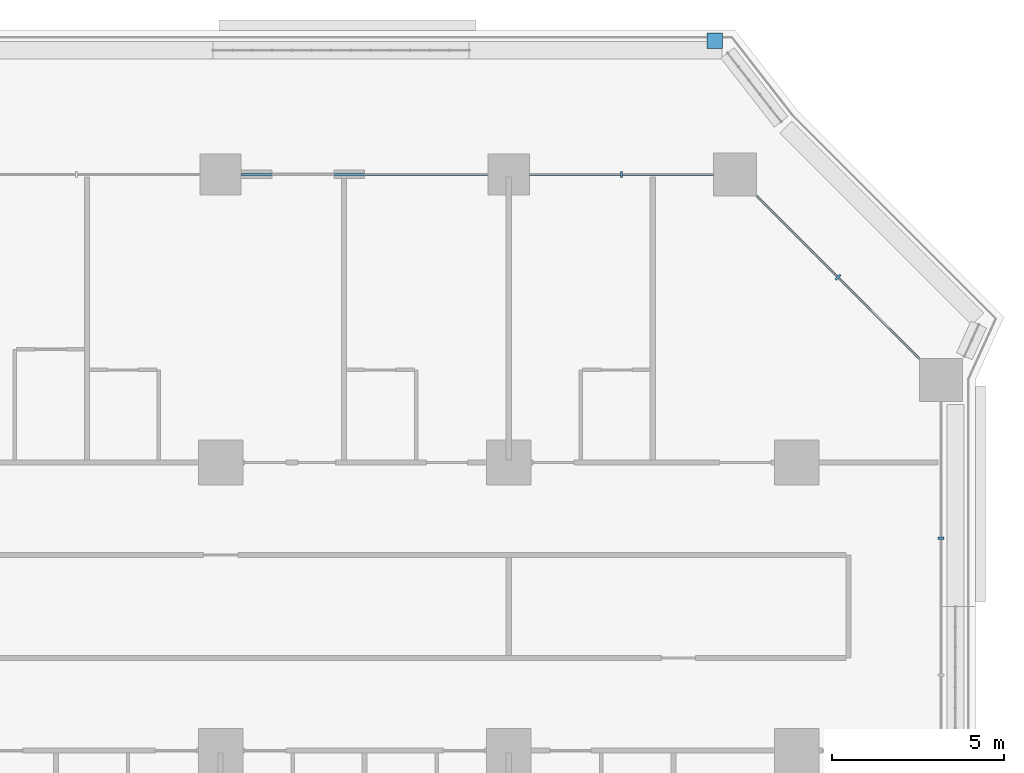
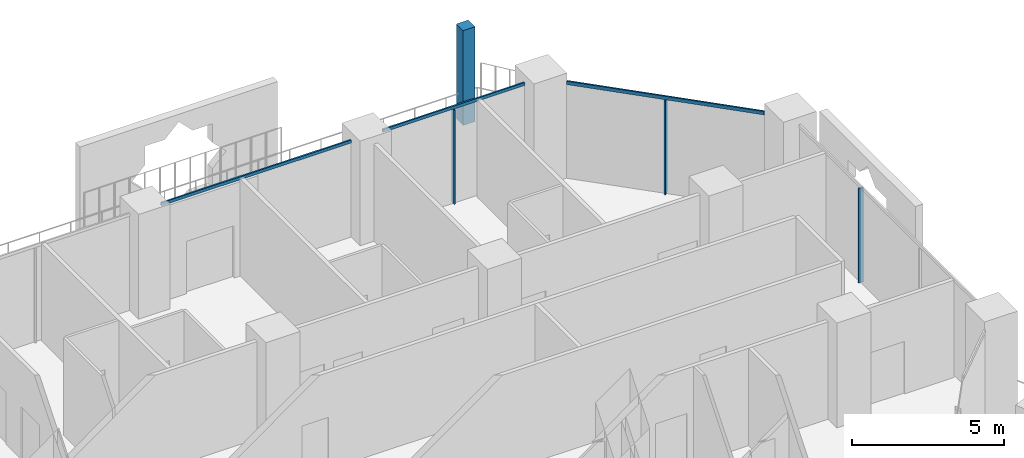
# One storey, part 10 of 27: 7 members, 4 elements without a shape of their own.
"""IFC4 building model written with IfcOpenShell, lengths in metres."""

from ifc_helpers import new_model, si_unit, direction, frame, origin, origin_2d, place, context, subcontext, project, spatial, rectangle, extrude, material, layer, layer_set, material_profile, profile_set, type_object, element, aggregate, save


model = new_model("IFC4")

# Units and contexts
model_context = context("Model", 3, precision=1e-05, world=origin(), true_north=direction((0.0, 1.0)))
body_context = subcontext(model_context, "Body", "Model", "MODEL_VIEW")
ifc_project = project(units=[si_unit("LENGTHUNIT", "METRE"), si_unit("AREAUNIT", "SQUARE_METRE"), si_unit("VOLUMEUNIT", "CUBIC_METRE"), si_unit("PLANEANGLEUNIT", "RADIAN"), si_unit("MASSUNIT", "GRAM", prefix="KILO")], contexts=[model_context])

# Site, building, storey
site_placement = place(None, origin())
site = spatial("IfcSite", under=ifc_project, at=site_placement, CompositionType="ELEMENT")
building_placement = place(site_placement, origin())
building = spatial("IfcBuilding", under=site, at=building_placement, Name="Kawkab Arch Medical Tower", CompositionType="ELEMENT")
storey_placement = place(building_placement, frame((0.0, 0.0, 85.39990234375)))
storey = spatial("IfcBuildingStorey", under=building, at=storey_placement, Name="L19", CompositionType="ELEMENT", Elevation=85.39990234375)

# Curtain wall, member
ifc_material_1 = material(Name="Bronze anodised aluminium curtain wall frame", Category="aluminium")
ifc_layer_1 = layer(ifc_material_1, 0.159912109375)
ifc_layer_set_1 = layer_set([ifc_layer_1], Name="Bronze anodised aluminium curtain wall frame")
curtain_wall_type_1 = type_object("IfcCurtainWallType", Name="CW1 ward curtain wall", PredefinedType="NOTDEFINED", material=ifc_layer_set_1)
placement = place(storey_placement, origin())
curtain_wall_1 = element("IfcCurtainWall", 1, at=placement, inside=storey, type_object=curtain_wall_type_1, Name="CW1 Ward curtain wall R09", PredefinedType="NOTDEFINED")
ifc_material_2 = material(Name="Bronze anodised aluminium curtain wall frame", Category="aluminium")
ifc_material_profile_1 = material_profile(ifc_material_2, rectangle(XDim=0.179931640625, YDim=0.06005859375, at=origin_2d()), Name="AL 60x180")
ifc_profile_set_1 = profile_set([ifc_material_profile_1], Name="Bronze anodised aluminium curtain wall frame")
member_type_1 = type_object("IfcMemberType", Name="CW1 mullion 60 x 180", PredefinedType="MULLION", material=ifc_profile_set_1)
member_1_placement = place(storey_placement, frame((79.800048828125, -10.6083984375, 0.0), z_axis=(0.0, 0.0, 1.0), x_axis=(-1.0, 0.0, 0.0)))
member_1 = element("IfcMember", 2, at=member_1_placement, type_object=member_type_1, Name="CW1 mullion 1.2", PredefinedType="MULLION", context=body_context, shape_type="SweptSolid", body=[
    extrude(rectangle(XDim=0.179931640625, YDim=0.06005859375, at=origin_2d()), origin(), (0.0, 0.0, 1.0), 3.780029296875),
])
aggregate(curtain_wall_1, [member_1])

# Curtain wall, members
curtain_wall_2 = element("IfcCurtainWall", 3, at=placement, inside=storey, type_object=curtain_wall_type_1, Name="CW1 Ward curtain wall R11", PredefinedType="NOTDEFINED")
member_2_placement = place(storey_placement, frame((70.487548828125, 0.0, 0.0), z_axis=(0.0, 0.0, 1.0), x_axis=(0.0, -1.0, 0.0)))
member_2 = element("IfcMember", 4, at=member_2_placement, type_object=member_type_1, Name="CW1 mullion 1.1", PredefinedType="MULLION", context=body_context, shape_type="SweptSolid", body=[
    extrude(rectangle(XDim=0.179931640625, YDim=0.06005859375, at=origin_2d()), origin(), (0.0, 0.0, 1.0), 3.780029296875),
])
ifc_material_3 = material(Name="Bronze anodised aluminium curtain wall frame", Category="aluminium")
ifc_material_profile_2 = material_profile(ifc_material_3, rectangle(XDim=0.06005859375, YDim=0.1201171875, at=origin_2d()), Name="AL 60x120")
ifc_profile_set_2 = profile_set([ifc_material_profile_2], Name="Bronze anodised aluminium curtain wall frame")
member_type_2 = type_object("IfcMemberType", Name="CW1 transom 120 x 60", PredefinedType="USERDEFINED", material=ifc_profile_set_2)
member_3_placement = place(storey_placement, frame((73.175048828125, 0.0, 3.840087890625), z_axis=(-1.0, 0.0, 0.0), x_axis=(0.0, -1.0, 0.0)))
member_3 = element("IfcMember", 5, at=member_3_placement, type_object=member_type_2, Name="CW1 transom 1", ObjectType="TRANSOM", PredefinedType="USERDEFINED", context=body_context, shape_type="SweptSolid", body=[
    extrude(rectangle(XDim=0.06005859375, YDim=0.1201171875, at=origin_2d()), origin(), (0.0, 0.0, 1.0), 5.375),
])
member_4_placement = place(storey_placement, frame((66.60009765625, 0.0, 3.840087890625), z_axis=(-1.0, 0.0, 0.0), x_axis=(0.0, -1.0, 0.0)))
member_4 = element("IfcMember", 6, at=member_4_placement, type_object=member_type_2, Name="CW1 transom 2", ObjectType="TRANSOM", PredefinedType="USERDEFINED", context=body_context, shape_type="SweptSolid", body=[
    extrude(rectangle(XDim=0.06005859375, YDim=0.1201171875, at=origin_2d()), origin(), (0.0, 0.0, 1.0), 7.2001953125),
])
aggregate(curtain_wall_2, [member_3, member_2, member_4])

ifc_material_4 = material(Name="Bronze anodised aluminium curtain wall frame", Category="aluminium")
ifc_layer_2 = layer(ifc_material_4, 0.159912109375)
ifc_layer_set_2 = layer_set([ifc_layer_2], Name="Bronze anodised aluminium curtain wall frame")
curtain_wall_type_2 = type_object("IfcCurtainWallType", Name="CW2 chamfer curtain wall", PredefinedType="NOTDEFINED", material=ifc_layer_set_2)
curtain_wall_3 = element("IfcCurtainWall", 7, at=placement, inside=storey, type_object=curtain_wall_type_2, Name="CW2 Chamfer curtain wall R10", PredefinedType="NOTDEFINED")
ifc_material_5 = material(Name="Bronze anodised aluminium curtain wall frame", Category="aluminium")
ifc_material_profile_3 = material_profile(ifc_material_5, rectangle(XDim=0.199951171875, YDim=0.06005859375, at=origin_2d()), Name="AL 60x200")
ifc_profile_set_3 = profile_set([ifc_material_profile_3], Name="Bronze anodised aluminium curtain wall frame")
member_type_3 = type_object("IfcMemberType", Name="CW2 mullion 60 x 200", PredefinedType="MULLION", material=ifc_profile_set_3)
member_5_placement = place(storey_placement, frame((76.800048828125, -3.0, 0.0), z_axis=(0.0, 0.0, 1.0), x_axis=(-0.707106781187, -0.707106781187, 0.0)))
member_5 = element("IfcMember", 8, at=member_5_placement, type_object=member_type_3, Name="CW2 mullion 1.1", PredefinedType="MULLION", context=body_context, shape_type="SweptSolid", body=[
    extrude(rectangle(XDim=0.199951171875, YDim=0.06005859375, at=origin_2d()), origin(), (0.0, 0.0, 1.0), 3.760009765625),
])
ifc_material_6 = material(Name="Bronze anodised aluminium curtain wall frame", Category="aluminium")
ifc_material_profile_4 = material_profile(ifc_material_6, rectangle(XDim=0.06005859375, YDim=0.139892578125, at=origin_2d()), Name="AL 60x140")
ifc_profile_set_4 = profile_set([ifc_material_profile_4], Name="Bronze anodised aluminium curtain wall frame")
member_type_4 = type_object("IfcMemberType", Name="CW2 transom 140 x 60", PredefinedType="USERDEFINED", material=ifc_profile_set_4)
member_6_placement = place(storey_placement, frame((79.175048828125, -5.375, 3.830078125), z_axis=(-0.707106781187, 0.707106781187, 0.0), x_axis=(-0.707106781187, -0.707106781187, 0.0)))
member_6 = element("IfcMember", 9, at=member_6_placement, type_object=member_type_4, Name="CW2 transom 1", ObjectType="TRANSOM", PredefinedType="USERDEFINED", context=body_context, shape_type="SweptSolid", body=[
    extrude(rectangle(XDim=0.06005859375, YDim=0.139892578125, at=origin_2d()), origin(), (0.0, 0.0, 1.0), 6.717529296875),
])
aggregate(curtain_wall_3, [member_6, member_5])

# Curtain wall, member
ifc_material_7 = material(Name="Bronze anodised aluminium climber frame, planted", Category="aluminium")
ifc_layer_3 = layer(ifc_material_7, 0.449951171875)
ifc_layer_set_3 = layer_set([ifc_layer_3], Name="Bronze anodised aluminium climber frame, planted")
curtain_wall_type_3 = type_object("IfcCurtainWallType", Name="Planted climber frame", PredefinedType="NOTDEFINED", material=ifc_layer_set_3)
curtain_wall_4 = element("IfcCurtainWall", 10, at=placement, inside=storey, type_object=curtain_wall_type_3, Name="Planted climber frame L19", PredefinedType="NOTDEFINED")
ifc_material_8 = material(Name="Bronze anodised aluminium climber frame, planted", Category="aluminium")
ifc_material_profile_5 = material_profile(ifc_material_8, rectangle(XDim=0.449951171875, YDim=0.449951171875, at=origin_2d()), Name="Post 450x450")
ifc_profile_set_5 = profile_set([ifc_material_profile_5], Name="Bronze anodised aluminium climber frame, planted")
member_type_5 = type_object("IfcMemberType", Name="Planted climber post 450 x 450", PredefinedType="MULLION", material=ifc_profile_set_5)
member_7_placement = place(storey_placement, frame((73.202880859375, 3.89990234375, 0.0), z_axis=(0.0, 0.0, 1.0), x_axis=(1.0, 0.0, 0.0)))
member_7 = element("IfcMember", 11, at=member_7_placement, type_object=member_type_5, Name="Planted climber post L19.LOG-01-01.4", PredefinedType="MULLION", context=body_context, shape_type="SweptSolid", body=[
    extrude(rectangle(XDim=0.449951171875, YDim=0.449951171875, at=origin_2d()), origin(), (0.0, 0.0, 1.0), 3.800048828125),
])
aggregate(curtain_wall_4, [member_7])

save(model, "model.ifc")
